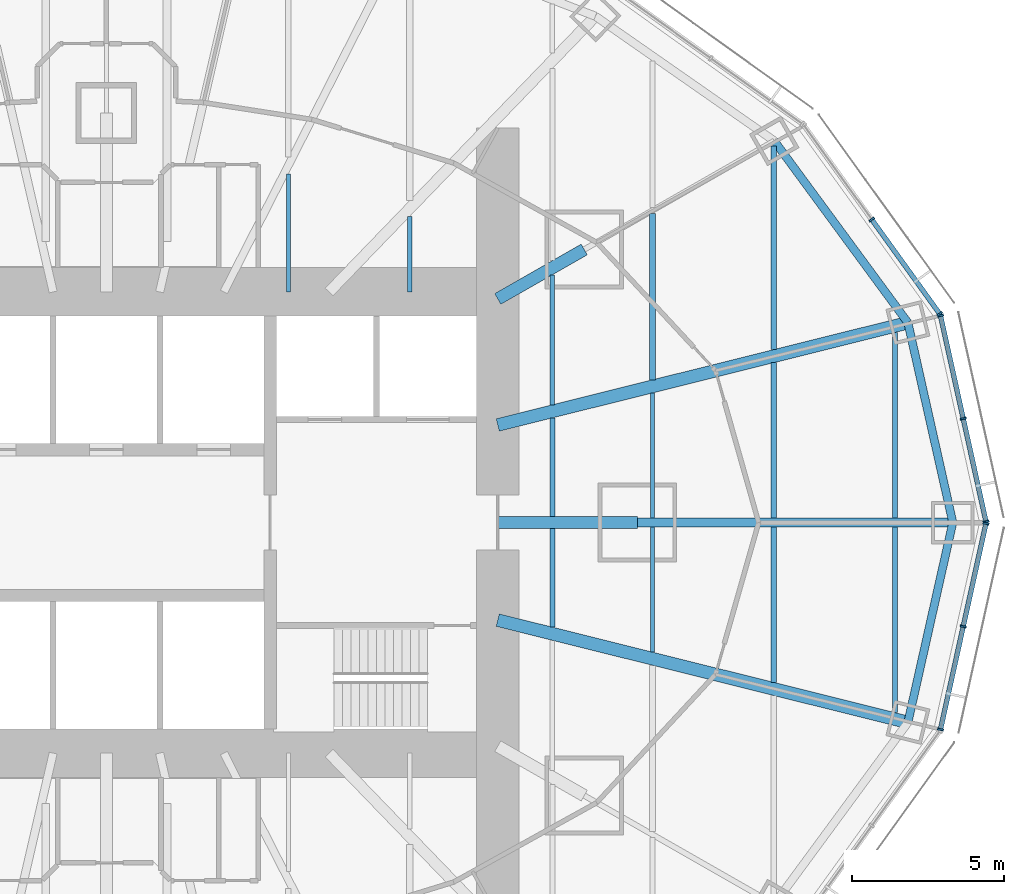
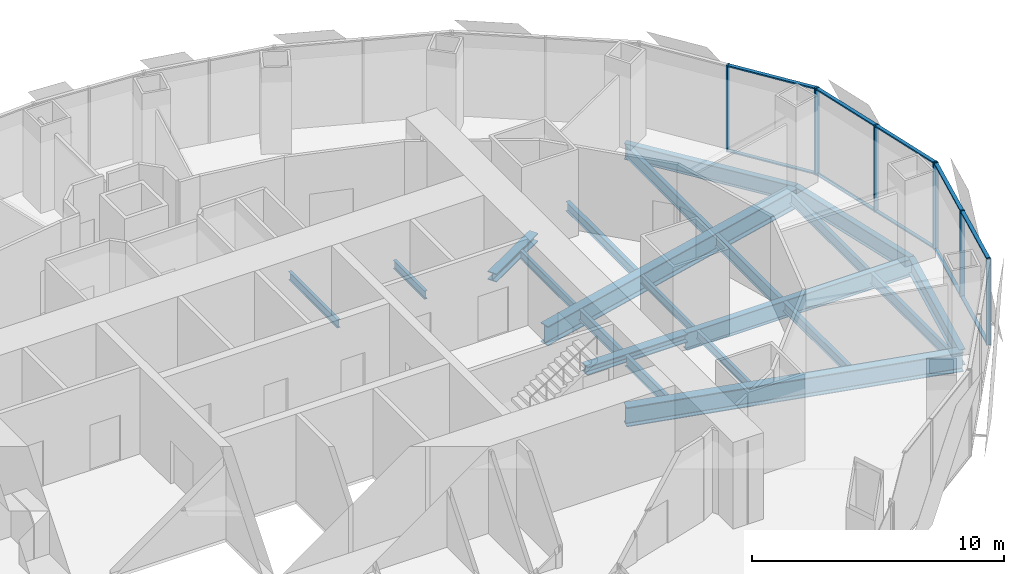
# One storey, part 6 of 17: 21 beams, 18 members, 3 elements without a shape of their own.
"""IFC4 building model written with IfcOpenShell, lengths in metres."""

from ifc_helpers import new_model, si_unit, direction, frame, origin, origin_2d, place, context, subcontext, project, spatial, rectangle, i_section, extrude, material, material_profile, profile_set, type_object, element, aggregate, save


model = new_model("IFC4")

# Units and contexts
model_context = context("Model", 3, precision=1e-05, world=origin(), true_north=direction((0.0, 1.0)))
body_context = subcontext(model_context, "Body", "Model", "MODEL_VIEW")
ifc_project = project(units=[si_unit("LENGTHUNIT", "METRE"), si_unit("AREAUNIT", "SQUARE_METRE"), si_unit("VOLUMEUNIT", "CUBIC_METRE"), si_unit("PLANEANGLEUNIT", "RADIAN"), si_unit("MASSUNIT", "GRAM", prefix="KILO")], contexts=[model_context])

# Site, building, storey
site_placement = place(None, origin())
site = spatial("IfcSite", under=ifc_project, at=site_placement, CompositionType="ELEMENT")
building_placement = place(site_placement, origin())
building = spatial("IfcBuilding", under=site, at=building_placement, Name="Lantaw Convention Tower", CompositionType="ELEMENT")
storey_placement = place(building_placement, frame((0.0, 0.0, 159.39990234375)))
storey = spatial("IfcBuildingStorey", under=building, at=storey_placement, Name="L37", CompositionType="ELEMENT", Elevation=159.39990234375)

# Beams
ifc_material_1 = material(Name="Steel ASTM A992", Category="steel")
ifc_material_profile_1 = material_profile(ifc_material_1, i_section(OverallWidth=0.2666015625, OverallDepth=0.76953125, WebThickness=0.015625, FlangeThickness=0.025390625, FilletRadius=0.0126953125, at=origin_2d()), Name="W30X132")
ifc_profile_set_1 = profile_set([ifc_material_profile_1], Name="Steel ASTM A992")
beam_type_1 = type_object("IfcBeamType", Name="Beam E W30X132", PredefinedType="SPANDREL", material=ifc_profile_set_1)
beam_1_placement = place(storey_placement, frame((27.89990234375, 0.0, -0.53466796875), z_axis=(-0.219211877447, 0.975677279015, 0.0), x_axis=(-0.975677279015, -0.219211877447, 0.0)))
element("IfcBeam", 1, at=beam_1_placement, inside=storey, type_object=beam_type_1, Name="Edge beam 1", PredefinedType="SPANDREL", context=body_context, shape_type="SweptSolid", body=[
    extrude(i_section(OverallWidth=0.2666015625, OverallDepth=0.76953125, WebThickness=0.015625, FlangeThickness=0.025390625, FilletRadius=0.0126953125, at=origin_2d()), origin(), (0.0, 0.0, 1.0), 6.75146484375),
])
beam_2_placement = place(storey_placement, frame((26.419921875, 6.587158203125, -0.53466796875), z_axis=(-0.5923891972, 0.805651934176, 0.0), x_axis=(-0.805651934176, -0.5923891972, 0.0)))
element("IfcBeam", 2, at=beam_2_placement, inside=storey, type_object=beam_type_1, Name="Edge beam 2", PredefinedType="SPANDREL", context=body_context, shape_type="SweptSolid", body=[
    extrude(i_section(OverallWidth=0.2666015625, OverallDepth=0.76953125, WebThickness=0.015625, FlangeThickness=0.025390625, FilletRadius=0.0126953125, at=origin_2d()), origin(), (0.0, 0.0, 1.0), 7.437744140625),
])
beam_3_placement = place(storey_placement, frame((26.419921875, -6.587158203125, -0.53466796875), z_axis=(0.219211877447, 0.975677279015, 0.0), x_axis=(-0.975677279015, 0.219211877447, 0.0)))
element("IfcBeam", 3, at=beam_3_placement, inside=storey, type_object=beam_type_1, Name="Edge beam 24", PredefinedType="SPANDREL", context=body_context, shape_type="SweptSolid", body=[
    extrude(i_section(OverallWidth=0.2666015625, OverallDepth=0.76953125, WebThickness=0.015625, FlangeThickness=0.025390625, FilletRadius=0.0126953125, at=origin_2d()), origin(), (0.0, 0.0, 1.0), 6.75146484375),
])
ifc_material_profile_2 = material_profile(ifc_material_1, i_section(OverallWidth=0.2919921875, OverallDepth=0.845703125, WebThickness=0.015380859375, FlangeThickness=0.0244140625, FilletRadius=0.01513671875, at=origin_2d()), Name="W33X141")
ifc_profile_set_2 = profile_set([ifc_material_profile_2], Name="Steel ASTM A992")
beam_type_2 = type_object("IfcBeamType", Name="Beam G W33X141", PredefinedType="BEAM", material=ifc_profile_set_2)
beam_4_placement = place(storey_placement, frame((17.5, 0.0, -0.57275390625), z_axis=(1.0, 0.0, 0.0), x_axis=(0.0, 1.0, 0.0)))
element("IfcBeam", 4, at=beam_4_placement, inside=storey, type_object=beam_type_2, Name="Floor girder on ray 1", PredefinedType="BEAM", context=body_context, shape_type="SweptSolid", body=[
    extrude(i_section(OverallWidth=0.2919921875, OverallDepth=0.845703125, WebThickness=0.015380859375, FlangeThickness=0.0244140625, FilletRadius=0.01513671875, at=origin_2d()), origin(), (0.0, 0.0, 1.0), 10.39990234375),
])
ifc_material_profile_3 = material_profile(ifc_material_1, i_section(OverallWidth=0.421630859375, OverallDepth=0.937255859375, WebThickness=0.0224609375, FlangeThickness=0.039794921875, FilletRadius=0.02001953125, at=origin_2d()), Name="W36X282")
ifc_profile_set_3 = profile_set([ifc_material_profile_3], Name="Steel ASTM A992")
beam_type_3 = type_object("IfcBeamType", Name="Beam G W36X282", PredefinedType="BEAM", material=ifc_profile_set_3)
for number, where, z_axis, x_axis, name in (
    (5, (12.89990234375, 3.21630859375, -0.61865234375), (0.970296903132, 0.24191717544, 0.0), (-0.24191717544, 0.970296903132, 0.0), "Floor girder on ray 2"),
    (6, (12.89990234375, -3.21630859375, -0.61865234375), (0.970296903132, -0.24191717544, 0.0), (0.24191717544, 0.970296903132, 0.0), "Floor girder on ray 24"),
):
    element("IfcBeam", number, at=place(storey_placement, frame(where, z_axis=z_axis, x_axis=x_axis)), inside=storey, type_object=beam_type_3, Name=name, PredefinedType="BEAM", context=body_context, shape_type="SweptSolid", body=[
        extrude(i_section(OverallWidth=0.421630859375, OverallDepth=0.937255859375, WebThickness=0.0224609375, FlangeThickness=0.039794921875, FilletRadius=0.02001953125, at=origin_2d()), origin(), (0.0, 0.0, 1.0), 13.933837890625),
    ])
ifc_material_profile_4 = material_profile(ifc_material_1, i_section(OverallWidth=0.40380859375, OverallDepth=0.406494140625, WebThickness=0.027099609375, FlangeThickness=0.043701171875, FilletRadius=0.01513671875, at=origin_2d()), Name="W14X233")
ifc_profile_set_4 = profile_set([ifc_material_profile_4], Name="Steel ASTM A992")
beam_type_4 = type_object("IfcBeamType", Name="Beam GM W14X233", PredefinedType="BEAM", material=ifc_profile_set_4)
beam_5_placement = place(storey_placement, frame((12.89990234375, 0.0, -0.35302734375), z_axis=(1.0, 0.0, 0.0), x_axis=(0.0, 1.0, 0.0)))
element("IfcBeam", 7, at=beam_5_placement, inside=storey, type_object=beam_type_4, Name="Core link beam on ray 1", PredefinedType="BEAM", context=body_context, shape_type="SweptSolid", body=[
    extrude(i_section(OverallWidth=0.40380859375, OverallDepth=0.406494140625, WebThickness=0.027099609375, FlangeThickness=0.043701171875, FilletRadius=0.01513671875, at=origin_2d()), origin(), (0.0, 0.0, 1.0), 4.60009765625),
])
beam_6_placement = place(storey_placement, frame((12.89990234375, 7.371337890625, -0.35302734375), z_axis=(0.868238565244, 0.496146947811, 0.0), x_axis=(-0.496146947811, 0.868238565244, 0.0)))
element("IfcBeam", 8, at=beam_6_placement, inside=storey, type_object=beam_type_4, Name="Core link beam on ray 3", PredefinedType="BEAM", context=body_context, shape_type="SweptSolid", body=[
    extrude(i_section(OverallWidth=0.40380859375, OverallDepth=0.406494140625, WebThickness=0.027099609375, FlangeThickness=0.043701171875, FilletRadius=0.01513671875, at=origin_2d()), origin(), (0.0, 0.0, 1.0), 3.28271484375),
])
ifc_material_profile_5 = material_profile(ifc_material_1, i_section(OverallWidth=0.140380859375, OverallDepth=0.40380859375, WebThickness=0.007080078125, FlangeThickness=0.01123046875, FilletRadius=0.01025390625, at=origin_2d()), Name="W16X31")
ifc_profile_set_5 = profile_set([ifc_material_profile_5], Name="Steel ASTM A992")
beam_type_5 = type_object("IfcBeamType", Name="Beam J W16X31", PredefinedType="JOIST", material=ifc_profile_set_5)
beam_7_placement = place(storey_placement, frame((6.0, 7.60009765625, -0.351806640625), z_axis=(0.0, 1.0, 0.0), x_axis=(-1.0, 0.0, 0.0)))
element("IfcBeam", 9, at=beam_7_placement, inside=storey, type_object=beam_type_5, Name="Floor joist", PredefinedType="JOIST", context=body_context, shape_type="SweptSolid", body=[
    extrude(i_section(OverallWidth=0.140380859375, OverallDepth=0.40380859375, WebThickness=0.007080078125, FlangeThickness=0.01123046875, FilletRadius=0.01025390625, at=origin_2d()), origin(), (0.0, 0.0, 1.0), 3.895751953125),
])
beam_8_placement = place(storey_placement, frame((10.0, 7.60009765625, -0.351806640625), z_axis=(0.0, 1.0, 0.0), x_axis=(-1.0, 0.0, 0.0)))
element("IfcBeam", 10, at=beam_8_placement, inside=storey, type_object=beam_type_5, Name="Floor joist", PredefinedType="JOIST", context=body_context, shape_type="SweptSolid", body=[
    extrude(i_section(OverallWidth=0.140380859375, OverallDepth=0.40380859375, WebThickness=0.007080078125, FlangeThickness=0.01123046875, FilletRadius=0.01025390625, at=origin_2d()), origin(), (0.0, 0.0, 1.0), 2.49560546875),
])
beam_9_placement = place(storey_placement, frame((14.699951171875, 3.88232421875, -0.351806640625), z_axis=(0.0, 1.0, 0.0), x_axis=(-1.0, 0.0, 0.0)))
element("IfcBeam", 11, at=beam_9_placement, inside=storey, type_object=beam_type_5, Name="Floor joist", PredefinedType="JOIST", context=body_context, shape_type="SweptSolid", body=[
    extrude(i_section(OverallWidth=0.140380859375, OverallDepth=0.40380859375, WebThickness=0.007080078125, FlangeThickness=0.01123046875, FilletRadius=0.01025390625, at=origin_2d()), origin(), (0.0, 0.0, 1.0), 4.28515625),
])
for number, where, z_axis, x_axis, name in (
    (12, (18.0, -4.270751953125, -0.351806640625), (0.0, 1.0, 0.0), (-1.0, 0.0, 0.0), "Floor joist"),
    (13, (18.0, 0.14599609375, -0.351806640625), (0.0, 1.0, 0.0), (-1.0, 0.0, 0.0), "Floor joist"),
):
    element("IfcBeam", number, at=place(storey_placement, frame(where, z_axis=z_axis, x_axis=x_axis)), inside=storey, type_object=beam_type_5, Name=name, PredefinedType="JOIST", context=body_context, shape_type="SweptSolid", body=[
        extrude(i_section(OverallWidth=0.140380859375, OverallDepth=0.40380859375, WebThickness=0.007080078125, FlangeThickness=0.01123046875, FilletRadius=0.01025390625, at=origin_2d()), origin(), (0.0, 0.0, 1.0), 4.124755859375),
    ])
ifc_material_profile_6 = material_profile(ifc_material_1, i_section(OverallWidth=0.1904296875, OverallDepth=0.457275390625, WebThickness=0.009033203125, FlangeThickness=0.014404296875, FilletRadius=0.01025390625, at=origin_2d()), Name="W18X50")
ifc_profile_set_6 = profile_set([ifc_material_profile_6], Name="Steel ASTM A992")
beam_type_6 = type_object("IfcBeamType", Name="Beam J W18X50", PredefinedType="JOIST", material=ifc_profile_set_6)
beam_10_placement = place(storey_placement, frame((18.0, 4.705078125, -0.37841796875), z_axis=(0.0, 1.0, 0.0), x_axis=(-1.0, 0.0, 0.0)))
element("IfcBeam", 14, at=beam_10_placement, inside=storey, type_object=beam_type_6, Name="Floor joist", PredefinedType="JOIST", context=body_context, shape_type="SweptSolid", body=[
    extrude(i_section(OverallWidth=0.1904296875, OverallDepth=0.457275390625, WebThickness=0.009033203125, FlangeThickness=0.014404296875, FilletRadius=0.01025390625, at=origin_2d()), origin(), (0.0, 0.0, 1.0), 5.47802734375),
])
beam_11_placement = place(storey_placement, frame((22.0, -5.267822265625, -0.37841796875), z_axis=(0.0, 1.0, 0.0), x_axis=(-1.0, 0.0, 0.0)))
element("IfcBeam", 15, at=beam_11_placement, inside=storey, type_object=beam_type_6, Name="Floor joist", PredefinedType="JOIST", context=body_context, shape_type="SweptSolid", body=[
    extrude(i_section(OverallWidth=0.1904296875, OverallDepth=0.457275390625, WebThickness=0.009033203125, FlangeThickness=0.014404296875, FilletRadius=0.01025390625, at=origin_2d()), origin(), (0.0, 0.0, 1.0), 5.121826171875),
])
ifc_material_profile_7 = material_profile(ifc_material_1, i_section(OverallWidth=0.1650390625, OverallDepth=0.52587890625, WebThickness=0.0087890625, FlangeThickness=0.011474609375, FilletRadius=0.0126953125, at=origin_2d()), Name="W21X44")
ifc_profile_set_7 = profile_set([ifc_material_profile_7], Name="Steel ASTM A992")
beam_type_7 = type_object("IfcBeamType", Name="Beam J W21X44", PredefinedType="JOIST", material=ifc_profile_set_7)
for number, where, z_axis, x_axis, name in (
    (16, (26.0, -6.26513671875, -0.412841796875), (0.0, 1.0, 0.0), (-1.0, 0.0, 0.0), "Floor joist"),
    (17, (26.0, 0.14599609375, -0.412841796875), (0.0, 1.0, 0.0), (-1.0, 0.0, 0.0), "Floor joist"),
):
    element("IfcBeam", number, at=place(storey_placement, frame(where, z_axis=z_axis, x_axis=x_axis)), inside=storey, type_object=beam_type_7, Name=name, PredefinedType="JOIST", context=body_context, shape_type="SweptSolid", body=[
        extrude(i_section(OverallWidth=0.1650390625, OverallDepth=0.52587890625, WebThickness=0.0087890625, FlangeThickness=0.011474609375, FilletRadius=0.0126953125, at=origin_2d()), origin(), (0.0, 0.0, 1.0), 6.119140625),
    ])
ifc_material_profile_8 = material_profile(ifc_material_1, i_section(OverallWidth=0.165771484375, OverallDepth=0.5283203125, WebThickness=0.009765625, FlangeThickness=0.013671875, FilletRadius=0.012939453125, at=origin_2d()), Name="W21X50")
ifc_profile_set_8 = profile_set([ifc_material_profile_8], Name="Steel ASTM A992")
beam_type_8 = type_object("IfcBeamType", Name="Beam J W21X50", PredefinedType="JOIST", material=ifc_profile_set_8)
for number, where, z_axis, x_axis, name in (
    (18, (14.699951171875, -3.44775390625, -0.4140625), (0.0, 1.0, 0.0), (-1.0, 0.0, 0.0), "Floor joist"),
    (19, (14.699951171875, 0.201904296875, -0.4140625), (0.0, 1.0, 0.0), (-1.0, 0.0, 0.0), "Floor joist"),
):
    element("IfcBeam", number, at=place(storey_placement, frame(where, z_axis=z_axis, x_axis=x_axis)), inside=storey, type_object=beam_type_8, Name=name, PredefinedType="JOIST", context=body_context, shape_type="SweptSolid", body=[
        extrude(i_section(OverallWidth=0.165771484375, OverallDepth=0.5283203125, WebThickness=0.009765625, FlangeThickness=0.013671875, FilletRadius=0.012939453125, at=origin_2d()), origin(), (0.0, 0.0, 1.0), 3.245849609375),
    ])
ifc_material_profile_9 = material_profile(ifc_material_1, i_section(OverallWidth=0.177978515625, OverallDepth=0.599365234375, WebThickness=0.010009765625, FlangeThickness=0.012939453125, FilletRadius=0.012939453125, at=origin_2d()), Name="W24X55")
ifc_profile_set_9 = profile_set([ifc_material_profile_9], Name="Steel ASTM A992")
beam_type_9 = type_object("IfcBeamType", Name="Beam J W24X55", PredefinedType="JOIST", material=ifc_profile_set_9)
beam_12_placement = place(storey_placement, frame((22.0, 0.14599609375, -0.44970703125), z_axis=(0.0, 1.0, 0.0), x_axis=(-1.0, 0.0, 0.0)))
element("IfcBeam", 20, at=beam_12_placement, inside=storey, type_object=beam_type_9, Name="Floor joist", PredefinedType="JOIST", context=body_context, shape_type="SweptSolid", body=[
    extrude(i_section(OverallWidth=0.177978515625, OverallDepth=0.599365234375, WebThickness=0.010009765625, FlangeThickness=0.012939453125, FilletRadius=0.012939453125, at=origin_2d()), origin(), (0.0, 0.0, 1.0), 5.121826171875),
])
beam_13_placement = place(storey_placement, frame((22.0, 5.702392578125, -0.44970703125), z_axis=(0.0, 1.0, 0.0), x_axis=(-1.0, 0.0, 0.0)))
element("IfcBeam", 21, at=beam_13_placement, inside=storey, type_object=beam_type_9, Name="Floor joist", PredefinedType="JOIST", context=body_context, shape_type="SweptSolid", body=[
    extrude(i_section(OverallWidth=0.177978515625, OverallDepth=0.599365234375, WebThickness=0.010009765625, FlangeThickness=0.012939453125, FilletRadius=0.012939453125, at=origin_2d()), origin(), (0.0, 0.0, 1.0), 6.70654296875),
])

# Curtain wall, members
ifc_material_2 = material(Name="Aluminium framed curtain wall", Category="aluminium")
curtain_wall_type = type_object("IfcCurtainWallType", Name="Office curtain wall low rise, pale aluminium", PredefinedType="USERDEFINED", material=ifc_material_2)
curtain_wall_1_placement = place(storey_placement, origin())
curtain_wall_1 = element("IfcCurtainWall", 22, at=curtain_wall_1_placement, inside=storey, type_object=curtain_wall_type, Name="Office curtain wall low rise, pale aluminium L37", ObjectType="UNITISED CURTAIN WALL", PredefinedType="USERDEFINED")
ifc_material_3 = material(Name="Aluminium 6063-T6", Category="aluminium")
ifc_material_profile_10 = material_profile(ifc_material_3, rectangle(XDim=0.199951171875, YDim=0.06494140625, at=origin_2d()), Name="CW-O1 mullion 65x200")
ifc_profile_set_10 = profile_set([ifc_material_profile_10], Name="Aluminium 6063-T6")
member_type_1 = type_object("IfcMemberType", Name="CW-O1 mullion 65x200", PredefinedType="MULLION", material=ifc_profile_set_10)
member_1_placement = place(storey_placement, frame((28.992919921875, 0.03173828125, -0.14990234375), z_axis=(0.0, 0.0, 1.0), x_axis=(-0.9764936509, -0.215546166174, 0.0)))
member_1 = element("IfcMember", 23, at=member_1_placement, type_object=member_type_1, Name="CW-O1 mullion 1", PredefinedType="MULLION", context=body_context, shape_type="SweptSolid", body=[
    extrude(rectangle(XDim=0.199951171875, YDim=0.06494140625, at=origin_2d()), origin(), (0.0, 0.0, 1.0), 4.199951171875),
])
member_2_placement = place(storey_placement, frame((28.24365234375, 3.4267578125, -0.14990234375), z_axis=(0.0, 0.0, 1.0), x_axis=(-0.9764936509, -0.215546166174, 0.0)))
member_2 = element("IfcMember", 24, at=member_2_placement, type_object=member_type_1, Name="CW-O1 mullion 2", PredefinedType="MULLION", context=body_context, shape_type="SweptSolid", body=[
    extrude(rectangle(XDim=0.199951171875, YDim=0.06494140625, at=origin_2d()), origin(), (0.0, 0.0, 1.0), 4.199951171875),
])
member_3_placement = place(storey_placement, frame((27.494140625, 6.821533203125, -0.14990234375), z_axis=(0.0, 0.0, 1.0), x_axis=(-0.9764936509, -0.215546166174, 0.0)))
member_3 = element("IfcMember", 25, at=member_3_placement, type_object=member_type_1, Name="CW-O1 mullion 3", PredefinedType="MULLION", context=body_context, shape_type="SweptSolid", body=[
    extrude(rectangle(XDim=0.199951171875, YDim=0.06494140625, at=origin_2d()), origin(), (0.0, 0.0, 1.0), 4.199951171875),
])

curtain_wall_2_placement = place(storey_placement, origin())
curtain_wall_2 = element("IfcCurtainWall", 26, at=curtain_wall_2_placement, inside=storey, type_object=curtain_wall_type, Name="Office curtain wall low rise, pale aluminium L37", ObjectType="UNITISED CURTAIN WALL", PredefinedType="USERDEFINED")
member_4_placement = place(storey_placement, frame((27.46826171875, 6.879638671875, -0.14990234375), z_axis=(0.0, 0.0, 1.0), x_axis=(-0.811384633629, -0.584512597221, 0.0)))
member_4 = element("IfcMember", 27, at=member_4_placement, type_object=member_type_1, Name="CW-O1 mullion 1", PredefinedType="MULLION", context=body_context, shape_type="SweptSolid", body=[
    extrude(rectangle(XDim=0.199951171875, YDim=0.06494140625, at=origin_2d()), origin(), (0.0, 0.0, 1.0), 4.199951171875),
])
member_5_placement = place(storey_placement, frame((25.22802734375, 9.9892578125, -0.14990234375), z_axis=(0.0, 0.0, 1.0), x_axis=(-0.811384633629, -0.584512597221, 0.0)))
member_5 = element("IfcMember", 28, at=member_5_placement, type_object=member_type_1, Name="CW-O1 mullion 2", PredefinedType="MULLION", context=body_context, shape_type="SweptSolid", body=[
    extrude(rectangle(XDim=0.199951171875, YDim=0.06494140625, at=origin_2d()), origin(), (0.0, 0.0, 1.0), 4.199951171875),
])

curtain_wall_3_placement = place(storey_placement, origin())
curtain_wall_3 = element("IfcCurtainWall", 29, at=curtain_wall_3_placement, inside=storey, type_object=curtain_wall_type, Name="Office curtain wall low rise, pale aluminium L37", ObjectType="UNITISED CURTAIN WALL", PredefinedType="USERDEFINED")
member_6_placement = place(storey_placement, frame((27.494140625, -6.821533203125, -0.14990234375), z_axis=(0.0, 0.0, 1.0), x_axis=(-0.9764936509, 0.215546166174, 0.0)))
member_6 = element("IfcMember", 30, at=member_6_placement, type_object=member_type_1, Name="CW-O1 mullion 1", PredefinedType="MULLION", context=body_context, shape_type="SweptSolid", body=[
    extrude(rectangle(XDim=0.199951171875, YDim=0.06494140625, at=origin_2d()), origin(), (0.0, 0.0, 1.0), 4.199951171875),
])
member_7_placement = place(storey_placement, frame((28.24365234375, -3.4267578125, -0.14990234375), z_axis=(0.0, 0.0, 1.0), x_axis=(-0.9764936509, 0.215546166174, 0.0)))
member_7 = element("IfcMember", 31, at=member_7_placement, type_object=member_type_1, Name="CW-O1 mullion 2", PredefinedType="MULLION", context=body_context, shape_type="SweptSolid", body=[
    extrude(rectangle(XDim=0.199951171875, YDim=0.06494140625, at=origin_2d()), origin(), (0.0, 0.0, 1.0), 4.199951171875),
])
member_8_placement = place(storey_placement, frame((28.992919921875, -0.03173828125, -0.14990234375), z_axis=(0.0, 0.0, 1.0), x_axis=(-0.9764936509, 0.215546166174, 0.0)))
member_8 = element("IfcMember", 32, at=member_8_placement, type_object=member_type_1, Name="CW-O1 mullion 3", PredefinedType="MULLION", context=body_context, shape_type="SweptSolid", body=[
    extrude(rectangle(XDim=0.199951171875, YDim=0.06494140625, at=origin_2d()), origin(), (0.0, 0.0, 1.0), 4.199951171875),
])

# Member
ifc_material_profile_11 = material_profile(ifc_material_3, rectangle(XDim=0.159912109375, YDim=0.06494140625, at=origin_2d()), Name="CW-O1 transom 65x160")
ifc_profile_set_11 = profile_set([ifc_material_profile_11], Name="Aluminium 6063-T6")
member_type_2 = type_object("IfcMemberType", Name="CW-O1 transom 65x160", PredefinedType="USERDEFINED", material=ifc_profile_set_11)
member_9_placement = place(storey_placement, frame((28.986083984375, 0.0634765625, -0.117431640625), z_axis=(-0.215536096386, 0.976495873598, 0.0), x_axis=(-0.976495873598, -0.215536096386, 0.0)))
member_9 = element("IfcMember", 33, at=member_9_placement, type_object=member_type_2, Name="CW-O1 transom 1.1", ObjectType="TRANSOM", PredefinedType="USERDEFINED", context=body_context, shape_type="SweptSolid", body=[
    extrude(rectangle(XDim=0.159912109375, YDim=0.06494140625, at=origin_2d()), origin(), (0.0, 0.0, 1.0), 3.41162109375),
])

member_10_placement = place(storey_placement, frame((28.986083984375, 0.0634765625, 4.017578125), z_axis=(-0.215536096386, 0.976495873598, 0.0), x_axis=(-0.976495873598, -0.215536096386, 0.0)))
member_10 = element("IfcMember", 34, at=member_10_placement, type_object=member_type_2, Name="CW-O1 transom 1.2", ObjectType="TRANSOM", PredefinedType="USERDEFINED", context=body_context, shape_type="SweptSolid", body=[
    extrude(rectangle(XDim=0.159912109375, YDim=0.06494140625, at=origin_2d()), origin(), (0.0, 0.0, 1.0), 3.41162109375),
])

member_11_placement = place(storey_placement, frame((28.236572265625, 3.45849609375, -0.117431640625), z_axis=(-0.21555115847, 0.976492548913, 0.0), x_axis=(-0.976492548913, -0.21555115847, 0.0)))
member_11 = element("IfcMember", 35, at=member_11_placement, type_object=member_type_2, Name="CW-O1 transom 2.1", ObjectType="TRANSOM", PredefinedType="USERDEFINED", context=body_context, shape_type="SweptSolid", body=[
    extrude(rectangle(XDim=0.159912109375, YDim=0.06494140625, at=origin_2d()), origin(), (0.0, 0.0, 1.0), 3.411376953125),
])

member_12_placement = place(storey_placement, frame((28.236572265625, 3.45849609375, 4.017578125), z_axis=(-0.21555115847, 0.976492548913, 0.0), x_axis=(-0.976492548913, -0.21555115847, 0.0)))
member_12 = element("IfcMember", 36, at=member_12_placement, type_object=member_type_2, Name="CW-O1 transom 2.2", ObjectType="TRANSOM", PredefinedType="USERDEFINED", context=body_context, shape_type="SweptSolid", body=[
    extrude(rectangle(XDim=0.159912109375, YDim=0.06494140625, at=origin_2d()), origin(), (0.0, 0.0, 1.0), 3.411376953125),
])

aggregate(curtain_wall_1, [member_1, member_2, member_3, member_9, member_10, member_11, member_12])

member_13_placement = place(storey_placement, frame((27.44921875, 6.906005859375, -0.117431640625), z_axis=(-0.584512973979, 0.811384362217, 0.0), x_axis=(-0.811384362217, -0.584512973979, 0.0)))
member_13 = element("IfcMember", 37, at=member_13_placement, type_object=member_type_2, Name="CW-O1 transom 1.1", ObjectType="TRANSOM", PredefinedType="USERDEFINED", context=body_context, shape_type="SweptSolid", body=[
    extrude(rectangle(XDim=0.159912109375, YDim=0.06494140625, at=origin_2d()), origin(), (0.0, 0.0, 1.0), 3.767578125),
])

member_14_placement = place(storey_placement, frame((27.44921875, 6.906005859375, 4.017578125), z_axis=(-0.584512973979, 0.811384362217, 0.0), x_axis=(-0.811384362217, -0.584512973979, 0.0)))
member_14 = element("IfcMember", 38, at=member_14_placement, type_object=member_type_2, Name="CW-O1 transom 1.2", ObjectType="TRANSOM", PredefinedType="USERDEFINED", context=body_context, shape_type="SweptSolid", body=[
    extrude(rectangle(XDim=0.159912109375, YDim=0.06494140625, at=origin_2d()), origin(), (0.0, 0.0, 1.0), 3.767578125),
])

aggregate(curtain_wall_2, [member_4, member_5, member_13, member_14])

member_15_placement = place(storey_placement, frame((27.501220703125, -6.789794921875, -0.117431640625), z_axis=(0.21555115847, 0.976492548913, 0.0), x_axis=(-0.976492548913, 0.21555115847, 0.0)))
member_15 = element("IfcMember", 39, at=member_15_placement, type_object=member_type_2, Name="CW-O1 transom 1.1", ObjectType="TRANSOM", PredefinedType="USERDEFINED", context=body_context, shape_type="SweptSolid", body=[
    extrude(rectangle(XDim=0.159912109375, YDim=0.06494140625, at=origin_2d()), origin(), (0.0, 0.0, 1.0), 3.411376953125),
])

member_16_placement = place(storey_placement, frame((27.501220703125, -6.789794921875, 4.017578125), z_axis=(0.21555115847, 0.976492548913, 0.0), x_axis=(-0.976492548913, 0.21555115847, 0.0)))
member_16 = element("IfcMember", 40, at=member_16_placement, type_object=member_type_2, Name="CW-O1 transom 1.2", ObjectType="TRANSOM", PredefinedType="USERDEFINED", context=body_context, shape_type="SweptSolid", body=[
    extrude(rectangle(XDim=0.159912109375, YDim=0.06494140625, at=origin_2d()), origin(), (0.0, 0.0, 1.0), 3.411376953125),
])

member_17_placement = place(storey_placement, frame((28.250732421875, -3.39501953125, -0.117431640625), z_axis=(0.215536096386, 0.976495873598, 0.0), x_axis=(-0.976495873598, 0.215536096386, 0.0)))
member_17 = element("IfcMember", 41, at=member_17_placement, type_object=member_type_2, Name="CW-O1 transom 2.1", ObjectType="TRANSOM", PredefinedType="USERDEFINED", context=body_context, shape_type="SweptSolid", body=[
    extrude(rectangle(XDim=0.159912109375, YDim=0.06494140625, at=origin_2d()), origin(), (0.0, 0.0, 1.0), 3.41162109375),
])

member_18_placement = place(storey_placement, frame((28.250732421875, -3.39501953125, 4.017578125), z_axis=(0.215536096386, 0.976495873598, 0.0), x_axis=(-0.976495873598, 0.215536096386, 0.0)))
member_18 = element("IfcMember", 42, at=member_18_placement, type_object=member_type_2, Name="CW-O1 transom 2.2", ObjectType="TRANSOM", PredefinedType="USERDEFINED", context=body_context, shape_type="SweptSolid", body=[
    extrude(rectangle(XDim=0.159912109375, YDim=0.06494140625, at=origin_2d()), origin(), (0.0, 0.0, 1.0), 3.41162109375),
])

aggregate(curtain_wall_3, [member_6, member_7, member_8, member_15, member_16, member_17, member_18])

save(model, "model.ifc")
